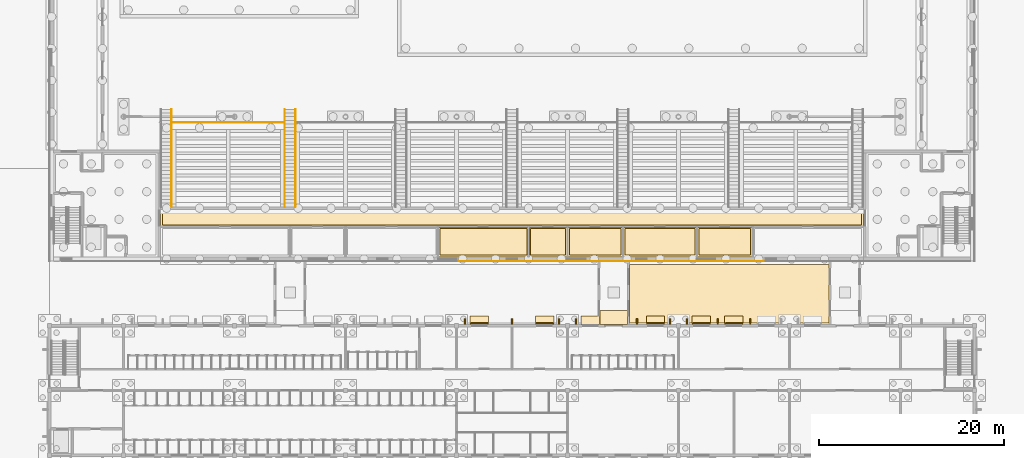
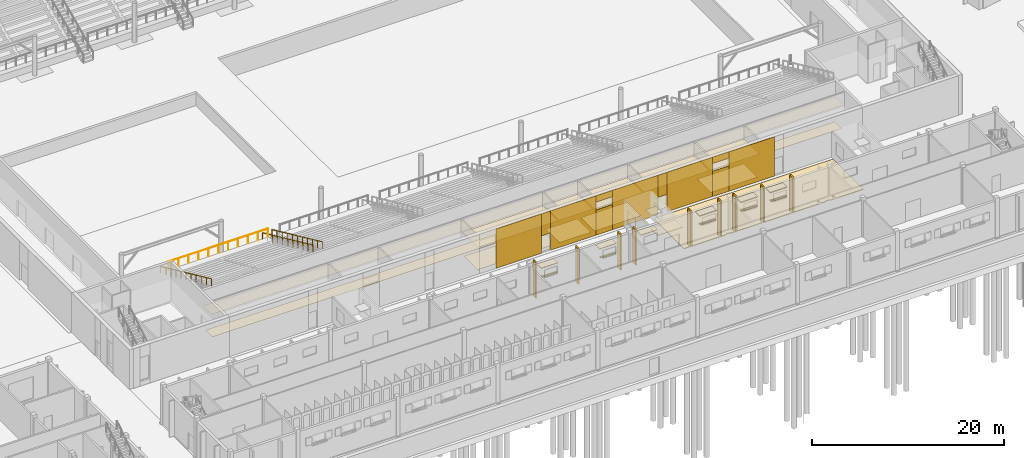
# One storey, part 132 of 157: 36 coverings, 9 shading devices, 4 railings.
"""IFC4 building model written with IfcOpenShell, lengths in metres."""

import ifcopenshell
import ifcopenshell.guid

model = None  # the IFC model being written
_history = None  # IfcOwnerHistory: only IFC2X3 demands one
_inside = {}  # id of a spatial element -> (the spatial element, [elements in it])
_under = {}  # id of a project, library or spatial element -> (it, [spatial elements below it])
_declared = {}  # id of a project -> (the project, [libraries it declares])
_typed = {}  # id of a type object -> (the type object, [elements of that type])
_made_of = {}  # id of a material, layer set ... -> (it, [elements and type objects made of it])


def new_model(schema):
    """Start an empty IFC model of exactly this schema.

    Asked for "IFC4X3", IfcOpenShell would pick the latest addendum, in which some entities
    have other attributes; the version numbers below select the first issue.
    IFC2X3 requires an IfcOwnerHistory on every rooted entity: one is made here for all.
    """
    global model, _history
    if schema == "IFC4X3":
        model = ifcopenshell.file(schema_version=(4, 3, 0, 0))
    else:
        model = ifcopenshell.file(schema=schema)
    _inside.clear()
    _under.clear()
    _declared.clear()
    _typed.clear()
    _made_of.clear()
    _history = None
    if model.schema == "IFC2X3":
        org = make("IfcOrganization", Name="unknown")
        user = make(
            "IfcPersonAndOrganization",
            ThePerson=make("IfcPerson", FamilyName="unknown"),
            TheOrganization=org,
        )
        app = make(
            "IfcApplication",
            ApplicationDeveloper=org,
            Version="unknown",
            ApplicationFullName="unknown",
            ApplicationIdentifier="unknown",
        )
        _history = make(
            "IfcOwnerHistory",
            OwningUser=user,
            OwningApplication=app,
            ChangeAction="ADDED",
            CreationDate=0,
        )
    return model


def make(cls, **values):
    """One entity of the class cls with the attributes given. An attribute that is None is left unset."""
    return model.create_entity(
        cls, **{name: value for name, value in values.items() if value is not None}
    )


def rooted(cls, **values):
    """An entity with a GlobalId (a new one), such as an element, a storey or a relation."""
    return make(cls, GlobalId=ifcopenshell.guid.new(), OwnerHistory=_history, **values)


def si_unit(unit_type, name, prefix=None):
    """IfcSIUnit, for example si_unit("LENGTHUNIT", "METRE", prefix="MILLI")."""
    return make("IfcSIUnit", UnitType=unit_type, Prefix=prefix, Name=name)


def assignment(units):
    """IfcUnitAssignment: the units of a project."""
    return None if units is None else make("IfcUnitAssignment", Units=units)


def point(xyz):
    """IfcCartesianPoint."""
    return None if xyz is None else make("IfcCartesianPoint", Coordinates=xyz)


def direction(xyz):
    """IfcDirection."""
    return None if xyz is None else make("IfcDirection", DirectionRatios=xyz)


def frame(location, z_axis=None, x_axis=None):
    """IfcAxis2Placement3D, a coordinate frame: its origin and axes. An axis left out is left unset."""
    return make(
        "IfcAxis2Placement3D",
        Location=point(location),
        Axis=direction(z_axis),
        RefDirection=direction(x_axis),
    )


def frame_2d(location, x_axis=None):
    """IfcAxis2Placement2D, a coordinate frame in the plane: its origin and x axis."""
    return make(
        "IfcAxis2Placement2D", Location=point(location), RefDirection=direction(x_axis)
    )


def origin():
    """The frame at (0, 0, 0) with its axes left unset."""
    return frame((0.0, 0.0, 0.0))


def origin_2d():
    """The frame at (0, 0) in the plane with its x axis left unset."""
    return frame_2d((0.0, 0.0))


def place(relative_to, where):
    """IfcLocalPlacement: puts the frame where relative to a parent placement (None: the world)."""
    return make(
        "IfcLocalPlacement", PlacementRelTo=relative_to, RelativePlacement=where
    )


def context(
    kind, dimensions, precision=None, world=None, true_north=None, identifier=None
):
    """IfcGeometricRepresentationContext, for example the 3D "Model" context."""
    return make(
        "IfcGeometricRepresentationContext",
        ContextIdentifier=identifier,
        ContextType=kind,
        CoordinateSpaceDimension=dimensions,
        Precision=precision,
        WorldCoordinateSystem=world,
        TrueNorth=true_north,
    )


def subcontext(parent, identifier, kind, view, scale=None):
    """IfcGeometricRepresentationSubContext, for example "Body" below "Model"."""
    return make(
        "IfcGeometricRepresentationSubContext",
        ContextIdentifier=identifier,
        ContextType=kind,
        ParentContext=parent,
        TargetScale=scale,
        TargetView=view,
    )


def project(units=None, contexts=None):
    """IfcProject with its units and contexts."""
    return rooted(
        "IfcProject",
        Name="project",
        RepresentationContexts=contexts,
        UnitsInContext=assignment(units),
    )


def spatial(cls, under=None, at=None, **own):
    """A site, building, storey or space (cls), placed at a placement, below another one or the project."""
    s = rooted(cls, ObjectPlacement=at, **own)
    if under is not None:
        _under.setdefault(under.id(), (under, []))[1].append(s)
    return s


def polyline(points):
    """IfcPolyline through the points."""
    return make("IfcPolyline", Points=[point(p) for p in points])


def profile(cls, at=None, kind="AREA", **sizes):
    """A parametric profile (cls). Its sizes go by their IFC names, for example OverallWidth=200.0."""
    return make(cls, ProfileType=kind, Position=at, **sizes)


def circle(**sizes):
    """IfcCircleProfileDef."""
    return profile("IfcCircleProfileDef", **sizes)


def outline(outer, holes=None, kind="AREA"):
    """IfcArbitraryClosedProfileDef: a profile drawn as a closed curve; with holes, ...WithVoids."""
    if holes is None:
        return make("IfcArbitraryClosedProfileDef", ProfileType=kind, OuterCurve=outer)
    return make(
        "IfcArbitraryProfileDefWithVoids",
        ProfileType=kind,
        OuterCurve=outer,
        InnerCurves=holes,
    )


def extrude(swept, where, along, depth):
    """IfcExtrudedAreaSolid: the profile swept, set in the frame where, extruded along a direction by depth."""
    return make(
        "IfcExtrudedAreaSolid",
        SweptArea=swept,
        Position=where,
        ExtrudedDirection=direction(along),
        Depth=depth,
    )


def shape(context_of_items, identifier, shape_type, items):
    """IfcShapeRepresentation: the items that make up one representation, for example the "Body"."""
    return make(
        "IfcShapeRepresentation",
        ContextOfItems=context_of_items,
        RepresentationIdentifier=identifier,
        RepresentationType=shape_type,
        Items=items,
    )


def material(Name=None, Category=None):
    """IfcMaterial."""
    return make("IfcMaterial", Name=Name, Category=Category)


def layer(
    of_material, thickness, ventilated=None, Name=None, Category=None, Priority=None
):
    """IfcMaterialLayer: one layer of a wall or slab, of a material (None: an air gap)."""
    return make(
        "IfcMaterialLayer",
        Material=of_material,
        LayerThickness=thickness,
        IsVentilated=ventilated,
        Name=Name,
        Category=Category,
        Priority=Priority,
    )


def layer_set(layers, Name=None):
    """IfcMaterialLayerSet."""
    return make("IfcMaterialLayerSet", MaterialLayers=layers, LayerSetName=Name)


def made_of(thing, what):
    """Note that an element or type object is made of a material, layer set ...; save() writes the relation."""
    if what is not None:
        _made_of.setdefault(what.id(), (what, []))[1].append(thing)
    return thing


def type_object(cls, material=None, **own):
    """A type object (cls), such as IfcWallType, which elements share."""
    return made_of(rooted(cls, **own), material)


def element(
    cls,
    number,
    at=None,
    inside=None,
    cuts=None,
    type_object=None,
    material=None,
    context=None,
    identifier="Body",
    shape_type=None,
    held_by="IfcProductDefinitionShape",
    body=None,
    shapes=None,
    **own,
):
    """One element of the class cls, such as IfcWall. Its Tag is "e" and its number.

    at: its placement. inside: the storey or other place that contains it. cuts: it is an
    opening in that element (IfcRelVoidsElement). A single representation is given by context,
    identifier, shape_type and body (its items); several are given by shapes. held_by: the class
    of the entity that holds the representations. save() writes the other relations.
    """
    e = rooted(cls, Tag="e%d" % number, ObjectPlacement=at, **own)
    if body is not None:
        shapes = [shape(context, identifier, shape_type, body)]
    if shapes is not None:
        e.Representation = make(held_by, Representations=shapes)
    if inside is not None:
        _inside.setdefault(inside.id(), (inside, []))[1].append(e)
    if cuts is not None:
        rooted(
            "IfcRelVoidsElement", RelatingBuildingElement=cuts, RelatedOpeningElement=e
        )
    if type_object is not None:
        _typed.setdefault(type_object.id(), (type_object, []))[1].append(e)
    return made_of(e, material)


def aggregate(whole, parts):
    """IfcRelAggregates: a whole, such as a stair, and the parts it consists of."""
    return rooted("IfcRelAggregates", RelatingObject=whole, RelatedObjects=parts)


def save(model, path):
    """Write the relations noted so far, then the file.

    IfcRelAggregates (storeys below a building ...), IfcRelContainedInSpatialStructure (elements
    in a storey), IfcRelDefinesByType, IfcRelAssociatesMaterial and IfcRelDeclares: one each for
    every whole, place, type object, material and project.
    """
    for whole, parts in _under.values():
        aggregate(whole, parts)
    for where, things in _inside.values():
        rooted(
            "IfcRelContainedInSpatialStructure",
            RelatedElements=things,
            RelatingStructure=where,
        )
    for kind, things in _typed.values():
        rooted("IfcRelDefinesByType", RelatedObjects=things, RelatingType=kind)
    for what, things in _made_of.values():
        rooted("IfcRelAssociatesMaterial", RelatedObjects=things, RelatingMaterial=what)
    for by, libraries in _declared.values():
        rooted("IfcRelDeclares", RelatingContext=by, RelatedDefinitions=libraries)
    model.write(path)


model = new_model("IFC4")

# Units and contexts
model_context = context("Model", 3, precision=1e-05, world=origin(), true_north=direction((0.0, 1.0)))
body_context = subcontext(model_context, "Body", "Model", "MODEL_VIEW")
ifc_project = project(units=[si_unit("LENGTHUNIT", "METRE"), si_unit("AREAUNIT", "SQUARE_METRE"), si_unit("VOLUMEUNIT", "CUBIC_METRE"), si_unit("PLANEANGLEUNIT", "RADIAN"), si_unit("MASSUNIT", "GRAM", prefix="KILO")], contexts=[model_context])

# Site, building, storey
site_placement = place(None, origin())
site = spatial("IfcSite", under=ifc_project, at=site_placement, CompositionType="ELEMENT")
building_placement = place(site_placement, origin())
building = spatial("IfcBuilding", under=site, at=building_placement, Name="Windward Yard Aquatics Centre", CompositionType="ELEMENT")
storey_placement = place(building_placement, origin())
storey = spatial("IfcBuildingStorey", under=building, at=storey_placement, Name="L00", CompositionType="ELEMENT", Elevation=0.0)

# Covering
ifc_material_1 = material(Name="Aluminium standing seam canopy on steel brackets", Category="steel")
ifc_layer_1 = layer(ifc_material_1, 0.1201171875)
ifc_layer_set_1 = layer_set([ifc_layer_1], Name="C entrance canopy aluminium 3000x1500")
covering_type_1 = type_object("IfcCoveringType", Name="C entrance canopy aluminium 3000x1500", PredefinedType="CLADDING", material=ifc_layer_set_1)
covering_1_placement = place(storey_placement, frame((0.0, 0.0, 2.800048828125)))
element("IfcCovering", 1, at=covering_1_placement, inside=storey, type_object=covering_type_1, Name="Entrance canopy C0004", PredefinedType="CLADDING", context=body_context, shape_type="SweptSolid", body=[
    extrude(outline(polyline([(111.5, 19.14990234375), (114.5, 19.14990234375), (114.5, 20.64990234375), (111.5, 20.64990234375), (111.5, 19.14990234375)])), origin(), (0.0, 0.0, 1.0), 0.119873046875),
])

# Shading devices
ifc_material_2 = material(Name="Aluminium fin, powder coated", Category="aluminium")
shading_device_type = type_object("IfcShadingDeviceType", Name="C vertical fin 150x600", PredefinedType="USERDEFINED", material=ifc_material_2)
shading_device_1_placement = place(storey_placement, origin())
element("IfcShadingDevice", 2, at=shading_device_1_placement, inside=storey, type_object=shading_device_type, Name="Vertical fin C.W.L00.N5.1.1", ObjectType="FIN", PredefinedType="USERDEFINED", context=body_context, shape_type="SweptSolid", body=[
    extrude(outline(polyline([(96.8291015625, 19.14990234375), (96.97900390625, 19.14990234375), (96.97900390625, 19.75), (96.8291015625, 19.75), (96.8291015625, 19.14990234375)])), origin(), (0.0, 0.0, 1.0), 4.550048828125),
])
shading_device_2_placement = place(storey_placement, origin())
element("IfcShadingDevice", 3, at=shading_device_2_placement, inside=storey, type_object=shading_device_type, Name="Vertical fin C.W.L00.N5.2.1", ObjectType="FIN", PredefinedType="USERDEFINED", context=body_context, shape_type="SweptSolid", body=[
    extrude(outline(polyline([(101.925048828125, 19.14990234375), (102.074951171875, 19.14990234375), (102.074951171875, 19.75), (101.925048828125, 19.75), (101.925048828125, 19.14990234375)])), origin(), (0.0, 0.0, 1.0), 4.550048828125),
])
shading_device_3_placement = place(storey_placement, origin())
element("IfcShadingDevice", 4, at=shading_device_3_placement, inside=storey, type_object=shading_device_type, Name="Vertical fin C.W.L00.N5.3.1", ObjectType="FIN", PredefinedType="USERDEFINED", context=body_context, shape_type="SweptSolid", body=[
    extrude(outline(polyline([(107.020751953125, 19.14990234375), (107.1708984375, 19.14990234375), (107.1708984375, 19.75), (107.020751953125, 19.75), (107.020751953125, 19.14990234375)])), origin(), (0.0, 0.0, 1.0), 4.550048828125),
])
shading_device_4_placement = place(storey_placement, origin())
element("IfcShadingDevice", 5, at=shading_device_4_placement, inside=storey, type_object=shading_device_type, Name="Vertical fin C.W.L00.N6.1.1", ObjectType="FIN", PredefinedType="USERDEFINED", context=body_context, shape_type="SweptSolid", body=[
    extrude(outline(polyline([(108.8291015625, 19.14990234375), (108.97900390625, 19.14990234375), (108.97900390625, 19.75), (108.8291015625, 19.75), (108.8291015625, 19.14990234375)])), origin(), (0.0, 0.0, 1.0), 4.550048828125),
])
shading_device_5_placement = place(storey_placement, origin())
element("IfcShadingDevice", 6, at=shading_device_5_placement, inside=storey, type_object=shading_device_type, Name="Vertical fin C.W.L00.N6.2.1", ObjectType="FIN", PredefinedType="USERDEFINED", context=body_context, shape_type="SweptSolid", body=[
    extrude(outline(polyline([(115.433349609375, 19.14990234375), (115.583251953125, 19.14990234375), (115.583251953125, 19.75), (115.433349609375, 19.75), (115.433349609375, 19.14990234375)])), origin(), (0.0, 0.0, 1.0), 4.550048828125),
])
shading_device_6_placement = place(storey_placement, origin())
element("IfcShadingDevice", 7, at=shading_device_6_placement, inside=storey, type_object=shading_device_type, Name="Vertical fin C.W.L00.N6.3.1", ObjectType="FIN", PredefinedType="USERDEFINED", context=body_context, shape_type="SweptSolid", body=[
    extrude(outline(polyline([(119.020751953125, 19.14990234375), (119.1708984375, 19.14990234375), (119.1708984375, 19.75), (119.020751953125, 19.75), (119.020751953125, 19.14990234375)])), origin(), (0.0, 0.0, 1.0), 4.550048828125),
])
shading_device_7_placement = place(storey_placement, origin())
element("IfcShadingDevice", 8, at=shading_device_7_placement, inside=storey, type_object=shading_device_type, Name="Vertical fin C.W.L00.N7.1.1", ObjectType="FIN", PredefinedType="USERDEFINED", context=body_context, shape_type="SweptSolid", body=[
    extrude(outline(polyline([(120.8291015625, 19.14990234375), (120.97900390625, 19.14990234375), (120.97900390625, 19.75), (120.8291015625, 19.75), (120.8291015625, 19.14990234375)])), origin(), (0.0, 0.0, 1.0), 4.550048828125),
])
shading_device_8_placement = place(storey_placement, origin())
element("IfcShadingDevice", 9, at=shading_device_8_placement, inside=storey, type_object=shading_device_type, Name="Vertical fin C.W.L00.N7.2.1", ObjectType="FIN", PredefinedType="USERDEFINED", context=body_context, shape_type="SweptSolid", body=[
    extrude(outline(polyline([(124.16650390625, 19.14990234375), (124.316650390625, 19.14990234375), (124.316650390625, 19.75), (124.16650390625, 19.75), (124.16650390625, 19.14990234375)])), origin(), (0.0, 0.0, 1.0), 4.550048828125),
])
shading_device_9_placement = place(storey_placement, origin())
element("IfcShadingDevice", 10, at=shading_device_9_placement, inside=storey, type_object=shading_device_type, Name="Vertical fin C.W.L00.N7.3.1", ObjectType="FIN", PredefinedType="USERDEFINED", context=body_context, shape_type="SweptSolid", body=[
    extrude(outline(polyline([(127.683349609375, 19.14990234375), (127.833251953125, 19.14990234375), (127.833251953125, 19.75), (127.683349609375, 19.75), (127.683349609375, 19.14990234375)])), origin(), (0.0, 0.0, 1.0), 4.550048828125),
])

# Coverings
ifc_material_3 = material(Name="Aluminium composite hood, powder coated", Category="aluminium")
ifc_layer_2 = layer(ifc_material_3, 0.080078125)
ifc_layer_set_2 = layer_set([ifc_layer_2], Name="C window hood aluminium 2000x900")
covering_type_2 = type_object("IfcCoveringType", Name="C window hood aluminium 2000x900", PredefinedType="CLADDING", material=ifc_layer_set_2)
covering_2_placement = place(storey_placement, frame((0.0, 0.0, 3.550048828125)))
element("IfcCovering", 11, at=covering_2_placement, inside=storey, type_object=covering_type_2, Name="Window hood CW0029", PredefinedType="CLADDING", context=body_context, shape_type="SweptSolid", body=[
    extrude(outline(polyline([(97.4833984375, 19.14990234375), (99.4833984375, 19.14990234375), (99.4833984375, 20.050048828125), (97.4833984375, 20.050048828125), (97.4833984375, 19.14990234375)])), origin(), (0.0, 0.0, 1.0), 0.079833984375),
])
covering_3_placement = place(storey_placement, frame((0.0, 0.0, 3.550048828125)))
element("IfcCovering", 12, at=covering_3_placement, inside=storey, type_object=covering_type_2, Name="Window hood CW0030", PredefinedType="CLADDING", context=body_context, shape_type="SweptSolid", body=[
    extrude(outline(polyline([(104.5166015625, 19.14990234375), (106.5166015625, 19.14990234375), (106.5166015625, 20.050048828125), (104.5166015625, 20.050048828125), (104.5166015625, 19.14990234375)])), origin(), (0.0, 0.0, 1.0), 0.079833984375),
])
covering_4_placement = place(storey_placement, frame((0.0, 0.0, 3.550048828125)))
element("IfcCovering", 13, at=covering_4_placement, inside=storey, type_object=covering_type_2, Name="Window hood CW0031", PredefinedType="CLADDING", context=body_context, shape_type="SweptSolid", body=[
    extrude(outline(polyline([(109.4833984375, 19.14990234375), (111.4833984375, 19.14990234375), (111.4833984375, 20.050048828125), (109.4833984375, 20.050048828125), (109.4833984375, 19.14990234375)])), origin(), (0.0, 0.0, 1.0), 0.079833984375),
])
covering_5_placement = place(storey_placement, frame((0.0, 0.0, 3.550048828125)))
element("IfcCovering", 14, at=covering_5_placement, inside=storey, type_object=covering_type_2, Name="Window hood CW0032", PredefinedType="CLADDING", context=body_context, shape_type="SweptSolid", body=[
    extrude(outline(polyline([(116.5166015625, 19.14990234375), (118.5166015625, 19.14990234375), (118.5166015625, 20.050048828125), (116.5166015625, 20.050048828125), (116.5166015625, 19.14990234375)])), origin(), (0.0, 0.0, 1.0), 0.079833984375),
])
covering_6_placement = place(storey_placement, frame((0.0, 0.0, 3.550048828125)))
element("IfcCovering", 15, at=covering_6_placement, inside=storey, type_object=covering_type_2, Name="Window hood CW0033", PredefinedType="CLADDING", context=body_context, shape_type="SweptSolid", body=[
    extrude(outline(polyline([(121.4833984375, 19.14990234375), (123.4833984375, 19.14990234375), (123.4833984375, 20.050048828125), (121.4833984375, 20.050048828125), (121.4833984375, 19.14990234375)])), origin(), (0.0, 0.0, 1.0), 0.079833984375),
])
covering_7_placement = place(storey_placement, frame((0.0, 0.0, 3.550048828125)))
element("IfcCovering", 16, at=covering_7_placement, inside=storey, type_object=covering_type_2, Name="Window hood CW0034", PredefinedType="CLADDING", context=body_context, shape_type="SweptSolid", body=[
    extrude(outline(polyline([(125.0, 19.14990234375), (127.0, 19.14990234375), (127.0, 20.050048828125), (125.0, 20.050048828125), (125.0, 19.14990234375)])), origin(), (0.0, 0.0, 1.0), 0.079833984375),
])
ifc_material_4 = material(Name="Limestone sill", Category="masonry")
ifc_layer_3 = layer(ifc_material_4, 0.080078125)
ifc_layer_set_3 = layer_set([ifc_layer_3], Name="C window sill stone 1800x200")
covering_type_3 = type_object("IfcCoveringType", Name="C window sill stone 1800x200", PredefinedType="CLADDING", material=ifc_layer_set_3)
covering_8_placement = place(storey_placement, frame((0.0, 0.0, 2.419921875)))
element("IfcCovering", 17, at=covering_8_placement, inside=storey, type_object=covering_type_3, Name="Window sill CW0029", PredefinedType="CLADDING", context=body_context, shape_type="SweptSolid", body=[
    extrude(outline(polyline([(97.583251953125, 19.14990234375), (99.38330078125, 19.14990234375), (99.38330078125, 19.35009765625), (97.583251953125, 19.35009765625), (97.583251953125, 19.14990234375)])), origin(), (0.0, 0.0, 1.0), 0.080078125),
])
covering_9_placement = place(storey_placement, frame((0.0, 0.0, 2.419921875)))
element("IfcCovering", 18, at=covering_9_placement, inside=storey, type_object=covering_type_3, Name="Window sill CW0030", PredefinedType="CLADDING", context=body_context, shape_type="SweptSolid", body=[
    extrude(outline(polyline([(104.61669921875, 19.14990234375), (106.416748046875, 19.14990234375), (106.416748046875, 19.35009765625), (104.61669921875, 19.35009765625), (104.61669921875, 19.14990234375)])), origin(), (0.0, 0.0, 1.0), 0.080078125),
])
covering_10_placement = place(storey_placement, frame((0.0, 0.0, 2.419921875)))
element("IfcCovering", 19, at=covering_10_placement, inside=storey, type_object=covering_type_3, Name="Window sill CW0032", PredefinedType="CLADDING", context=body_context, shape_type="SweptSolid", body=[
    extrude(outline(polyline([(116.61669921875, 19.14990234375), (118.416748046875, 19.14990234375), (118.416748046875, 19.35009765625), (116.61669921875, 19.35009765625), (116.61669921875, 19.14990234375)])), origin(), (0.0, 0.0, 1.0), 0.080078125),
])
covering_11_placement = place(storey_placement, frame((0.0, 0.0, 2.419921875)))
element("IfcCovering", 20, at=covering_11_placement, inside=storey, type_object=covering_type_3, Name="Window sill CW0033", PredefinedType="CLADDING", context=body_context, shape_type="SweptSolid", body=[
    extrude(outline(polyline([(121.583251953125, 19.14990234375), (123.38330078125, 19.14990234375), (123.38330078125, 19.35009765625), (121.583251953125, 19.35009765625), (121.583251953125, 19.14990234375)])), origin(), (0.0, 0.0, 1.0), 0.080078125),
])
covering_12_placement = place(storey_placement, frame((0.0, 0.0, 2.419921875)))
element("IfcCovering", 21, at=covering_12_placement, inside=storey, type_object=covering_type_3, Name="Window sill CW0034", PredefinedType="CLADDING", context=body_context, shape_type="SweptSolid", body=[
    extrude(outline(polyline([(125.10009765625, 19.14990234375), (126.89990234375, 19.14990234375), (126.89990234375, 19.35009765625), (125.10009765625, 19.35009765625), (125.10009765625, 19.14990234375)])), origin(), (0.0, 0.0, 1.0), 0.080078125),
])
ifc_material_5 = material(Name="Polished screed")
ifc_layer_4 = layer(ifc_material_5, 0.0400390625)
ifc_layer_set_4 = layer_set([ifc_layer_4], Name="H Floor Finish Screed 40")
covering_type_4 = type_object("IfcCoveringType", Name="H Floor Finish Screed 40", PredefinedType="FLOORING", material=ifc_layer_set_4)
covering_13_placement = place(storey_placement, origin())
element("IfcCovering", 22, at=covering_13_placement, inside=storey, type_object=covering_type_4, Name="Officials and Timing Office floor finish", PredefinedType="FLOORING", context=body_context, shape_type="SweptSolid", body=[
    extrude(outline(polyline([(94.199951171875, 26.64990234375), (94.199951171875, 29.52001953125), (103.60009765625, 29.52001953125), (103.60009765625, 26.64990234375), (94.199951171875, 26.64990234375)])), origin(), (0.0, 0.0, 1.0), 0.02001953125),
])
covering_14_placement = place(storey_placement, origin())
element("IfcCovering", 23, at=covering_14_placement, inside=storey, type_object=covering_type_4, Name="Doping Control Office floor finish", PredefinedType="FLOORING", context=body_context, shape_type="SweptSolid", body=[
    extrude(outline(polyline([(108.199951171875, 26.64990234375), (108.199951171875, 29.52001953125), (113.800048828125, 29.52001953125), (113.800048828125, 26.64990234375), (108.199951171875, 26.64990234375)])), origin(), (0.0, 0.0, 1.0), 0.02001953125),
])
covering_15_placement = place(storey_placement, origin())
element("IfcCovering", 24, at=covering_15_placement, inside=storey, type_object=covering_type_4, Name="Equipment Store floor finish", PredefinedType="FLOORING", context=body_context, shape_type="SweptSolid", body=[
    extrude(outline(polyline([(114.199951171875, 26.64990234375), (114.199951171875, 29.52001953125), (121.800048828125, 29.52001953125), (121.800048828125, 26.64990234375), (114.199951171875, 26.64990234375)])), origin(), (0.0, 0.0, 1.0), 0.02001953125),
])
covering_16_placement = place(storey_placement, origin())
element("IfcCovering", 25, at=covering_16_placement, inside=storey, type_object=covering_type_4, Name="Lifeguard Office floor finish", PredefinedType="FLOORING", context=body_context, shape_type="SweptSolid", body=[
    extrude(outline(polyline([(122.199951171875, 26.64990234375), (122.199951171875, 29.52001953125), (127.800048828125, 29.52001953125), (127.800048828125, 26.64990234375), (122.199951171875, 26.64990234375)])), origin(), (0.0, 0.0, 1.0), 0.02001953125),
])
covering_17_placement = place(storey_placement, origin())
element("IfcCovering", 26, at=covering_17_placement, inside=storey, type_object=covering_type_4, Name="Plinth Corridor South floor finish", PredefinedType="FLOORING", context=body_context, shape_type="SweptSolid", body=[
    extrude(outline(polyline([(64.199951171875, 29.919921875), (64.199951171875, 31.359619140625), (139.800048828125, 31.359619140625), (139.800048828125, 29.919921875), (64.199951171875, 29.919921875)])), origin(), (0.0, 0.0, 1.0), 0.02001953125),
])
ifc_material_6 = material(Name="Ceramic tile")
ifc_layer_5 = layer(ifc_material_6, 0.02001953125)
ifc_layer_set_5 = layer_set([ifc_layer_5], Name="H Floor Finish Tile 20")
covering_type_5 = type_object("IfcCoveringType", Name="H Floor Finish Tile 20", PredefinedType="FLOORING", material=ifc_layer_set_5)
covering_18_placement = place(storey_placement, origin())
element("IfcCovering", 27, at=covering_18_placement, inside=storey, type_object=covering_type_5, Name="First Aid Room floor finish", PredefinedType="FLOORING", context=body_context, shape_type="SweptSolid", body=[
    extrude(outline(polyline([(104.0, 26.64990234375), (104.0, 29.52001953125), (107.800048828125, 29.52001953125), (107.800048828125, 26.64990234375), (104.0, 26.64990234375)])), origin(), (0.0, 0.0, 1.0), 0.02001953125),
])

# Railings
ifc_material_7 = material(Name="Stainless steel 1.4529", Category="steel")
railing_type_1 = type_object("IfcRailingType", Name="H Guard Steel 1100", PredefinedType="GUARDRAIL", material=ifc_material_7)
railing_placement = place(storey_placement, frame((65.35009765625, 41.0, 1.39990234375)))
element("IfcRailing", 28, at=railing_placement, inside=storey, type_object=railing_type_1, Name="Stand front barrier S2", PredefinedType="GUARDRAIL", context=body_context, shape_type="SweptSolid", body=[
    extrude(circle(Radius=0.02392578125, at=origin_2d()), frame((0.0, 0.0, 1.076171875), z_axis=(1.0, 0.0, 0.0), x_axis=(0.0, 1.0, 0.0)), (0.0, 0.0, 1.0), 11.9248046875),
    extrude(circle(Radius=0.02099609375, at=origin_2d()), origin(), (0.0, 0.0, 1.0), 1.052001953125),
    extrude(circle(Radius=0.02099609375, at=origin_2d()), frame((1.1923828125, 0.0, 0.0)), (0.0, 0.0, 1.0), 1.052001953125),
    extrude(circle(Radius=0.02099609375, at=origin_2d()), frame((2.385009765625, 0.0, 0.0)), (0.0, 0.0, 1.0), 1.052001953125),
    extrude(circle(Radius=0.02099609375, at=origin_2d()), frame((3.577392578125, 0.0, 0.0)), (0.0, 0.0, 1.0), 1.052001953125),
    extrude(circle(Radius=0.02099609375, at=origin_2d()), frame((4.77001953125, 0.0, 0.0)), (0.0, 0.0, 1.0), 1.052001953125),
    extrude(circle(Radius=0.02099609375, at=origin_2d()), frame((5.96240234375, 0.0, 0.0)), (0.0, 0.0, 1.0), 1.052001953125),
    extrude(circle(Radius=0.02099609375, at=origin_2d()), frame((7.15478515625, 0.0, 0.0)), (0.0, 0.0, 1.0), 1.052001953125),
    extrude(circle(Radius=0.02099609375, at=origin_2d()), frame((8.347412109375, 0.0, 0.0)), (0.0, 0.0, 1.0), 1.052001953125),
    extrude(circle(Radius=0.02099609375, at=origin_2d()), frame((9.539794921875, 0.0, 0.0)), (0.0, 0.0, 1.0), 1.052001953125),
    extrude(circle(Radius=0.02099609375, at=origin_2d()), frame((10.732421875, 0.0, 0.0)), (0.0, 0.0, 1.0), 1.052001953125),
    extrude(circle(Radius=0.02099609375, at=origin_2d()), frame((11.9248046875, 0.0, 0.0)), (0.0, 0.0, 1.0), 1.052001953125),
])
railing_type_2 = type_object("IfcRailingType", Name="H Handrail Steel 900", PredefinedType="HANDRAIL", material=ifc_material_7)
for number, where, name in (
    (29, (65.199951171875, 42.3896484375, 0.1787109375), "Vomitory stair S1 handrail 2"),
    (30, (77.425048828125, 42.3896484375, 0.1787109375), "Vomitory stair S2 handrail 1"),
    (31, (78.574951171875, 42.3896484375, 0.1787109375), "Vomitory stair S2 handrail 2"),
):
    element("IfcRailing", number, at=place(storey_placement, frame(where)), inside=storey, type_object=railing_type_2, Name=name, PredefinedType="HANDRAIL", context=body_context, shape_type="SweptSolid", body=[
        extrude(circle(Radius=0.02392578125, at=origin_2d()), frame((0.0, 0.0, 0.8759765625), z_axis=(0.0, -0.909227440193, 0.416299726158), x_axis=(1.0, 0.0, 0.0)), (0.0, 0.0, 1.0), 11.581298828125),
        extrude(circle(Radius=0.02099609375, at=origin_2d()), origin(), (0.0, 0.0, 1.0), 0.851806640625),
        extrude(circle(Radius=0.02099609375, at=origin_2d()), frame((0.0, -1.052978515625, 0.482177734375)), (0.0, 0.0, 1.0), 0.851806640625),
        extrude(circle(Radius=0.02099609375, at=origin_2d()), frame((0.0, -2.10595703125, 0.96435546875)), (0.0, 0.0, 1.0), 0.851806640625),
        extrude(circle(Radius=0.02099609375, at=origin_2d()), frame((0.0, -3.158935546875, 1.4462890625)), (0.0, 0.0, 1.0), 0.851806640625),
        extrude(circle(Radius=0.02099609375, at=origin_2d()), frame((0.0, -4.2119140625, 1.928466796875)), (0.0, 0.0, 1.0), 0.851806640625),
        extrude(circle(Radius=0.02099609375, at=origin_2d()), frame((0.0, -5.26513671875, 2.41064453125)), (0.0, 0.0, 1.0), 0.851806640625),
        extrude(circle(Radius=0.02099609375, at=origin_2d()), frame((0.0, -6.318115234375, 2.892822265625)), (0.0, 0.0, 1.0), 0.851806640625),
        extrude(circle(Radius=0.02099609375, at=origin_2d()), frame((0.0, -7.37109375, 3.375)), (0.0, 0.0, 1.0), 0.851806640625),
        extrude(circle(Radius=0.02099609375, at=origin_2d()), frame((0.0, -8.424072265625, 3.85693359375)), (0.0, 0.0, 1.0), 0.851806640625),
        extrude(circle(Radius=0.02099609375, at=origin_2d()), frame((0.0, -9.47705078125, 4.339111328125)), (0.0, 0.0, 1.0), 0.851806640625),
        extrude(circle(Radius=0.02099609375, at=origin_2d()), frame((0.0, -10.530029296875, 4.8212890625)), (0.0, 0.0, 1.0), 0.851806640625),
    ])

# Coverings
ifc_material_8 = material(Name="Aluminium plank", Category="aluminium")
ifc_layer_6 = layer(ifc_material_8, 0.02001953125)
ifc_layer_set_6 = layer_set([ifc_layer_6], Name="H Moisture Resistant Ceiling")
covering_type_6 = type_object("IfcCoveringType", Name="H Moisture Resistant Ceiling", PredefinedType="CEILING", material=ifc_layer_set_6)
covering_19_placement = place(storey_placement, frame((0.0, 0.0, 3.0)))
element("IfcCovering", 32, at=covering_19_placement, inside=storey, type_object=covering_type_6, Name="First Aid Room ceiling", PredefinedType="CEILING", context=body_context, shape_type="SweptSolid", body=[
    extrude(outline(polyline([(103.87548828125, 26.450439453125), (103.87548828125, 29.64453125), (107.924560546875, 29.64453125), (107.924560546875, 26.450439453125), (103.87548828125, 26.450439453125)])), origin(), (0.0, 0.0, 1.0), 0.02001953125),
])
ifc_material_9 = material(Name="Mineral fibre tile")
ifc_layer_7 = layer(ifc_material_9, 0.02001953125)
ifc_layer_set_7 = layer_set([ifc_layer_7], Name="H Suspended Ceiling 600 x 600")
covering_type_7 = type_object("IfcCoveringType", Name="H Suspended Ceiling 600 x 600", PredefinedType="CEILING", material=ifc_layer_set_7)
covering_20_placement = place(storey_placement, frame((0.0, 0.0, 3.0)))
element("IfcCovering", 33, at=covering_20_placement, inside=storey, type_object=covering_type_7, Name="Officials and Timing Office ceiling", PredefinedType="CEILING", context=body_context, shape_type="SweptSolid", body=[
    extrude(outline(polyline([(94.075439453125, 26.450439453125), (94.075439453125, 29.64453125), (103.724609375, 29.64453125), (103.724609375, 26.450439453125), (94.075439453125, 26.450439453125)])), origin(), (0.0, 0.0, 1.0), 0.02001953125),
])
covering_21_placement = place(storey_placement, frame((0.0, 0.0, 3.0)))
element("IfcCovering", 34, at=covering_21_placement, inside=storey, type_object=covering_type_7, Name="Doping Control Office ceiling", PredefinedType="CEILING", context=body_context, shape_type="SweptSolid", body=[
    extrude(outline(polyline([(108.075439453125, 26.450439453125), (108.075439453125, 29.64453125), (113.924560546875, 29.64453125), (113.924560546875, 26.450439453125), (108.075439453125, 26.450439453125)])), origin(), (0.0, 0.0, 1.0), 0.02001953125),
])
covering_22_placement = place(storey_placement, frame((0.0, 0.0, 3.0)))
element("IfcCovering", 35, at=covering_22_placement, inside=storey, type_object=covering_type_7, Name="Equipment Store ceiling", PredefinedType="CEILING", context=body_context, shape_type="SweptSolid", body=[
    extrude(outline(polyline([(114.075439453125, 26.450439453125), (114.075439453125, 29.64453125), (121.924560546875, 29.64453125), (121.924560546875, 26.450439453125), (114.075439453125, 26.450439453125)])), origin(), (0.0, 0.0, 1.0), 0.02001953125),
])
covering_23_placement = place(storey_placement, frame((0.0, 0.0, 3.0)))
element("IfcCovering", 36, at=covering_23_placement, inside=storey, type_object=covering_type_7, Name="Lifeguard Office ceiling", PredefinedType="CEILING", context=body_context, shape_type="SweptSolid", body=[
    extrude(outline(polyline([(122.075439453125, 26.450439453125), (122.075439453125, 29.64453125), (127.924560546875, 29.64453125), (127.924560546875, 26.450439453125), (122.075439453125, 26.450439453125)])), origin(), (0.0, 0.0, 1.0), 0.02001953125),
])
covering_24_placement = place(storey_placement, frame((0.0, 0.0, 3.0)))
element("IfcCovering", 37, at=covering_24_placement, inside=storey, type_object=covering_type_7, Name="Plinth Corridor South ceiling", PredefinedType="CEILING", context=body_context, shape_type="SweptSolid", body=[
    extrude(outline(polyline([(64.00048828125, 29.79541015625), (64.00048828125, 31.55908203125), (139.99951171875, 31.55908203125), (139.99951171875, 29.79541015625), (64.00048828125, 29.79541015625)])), origin(), (0.0, 0.0, 1.0), 0.02001953125),
])
ifc_material_10 = material(Name="Natural limestone cladding", Category="masonry")
ifc_layer_8 = layer(ifc_material_10, 0.0400390625)
ifc_layer_set_8 = layer_set([ifc_layer_8], Name="H natural stone cladding 40")
covering_type_8 = type_object("IfcCoveringType", Name="H natural stone cladding 40", PredefinedType="CLADDING", material=ifc_layer_set_8)
covering_25_placement = place(storey_placement, origin())
element("IfcCovering", 38, at=covering_25_placement, inside=storey, type_object=covering_type_8, Name="Stone cladding panel 198", PredefinedType="CLADDING", context=body_context, shape_type="SweptSolid", body=[
    extrude(outline(polyline([(96.0, 25.9599609375), (96.0, 26.0), (101.449951171875, 26.0), (101.449951171875, 25.9599609375), (96.0, 25.9599609375)])), origin(), (0.0, 0.0, 1.0), 5.0),
])
covering_26_placement = place(storey_placement, frame((0.0, 0.0, 2.199951171875)))
element("IfcCovering", 39, at=covering_26_placement, inside=storey, type_object=covering_type_8, Name="Stone cladding panel 199", PredefinedType="CLADDING", context=body_context, shape_type="SweptSolid", body=[
    extrude(outline(polyline([(101.449951171875, 25.9599609375), (101.449951171875, 26.0), (102.550048828125, 26.0), (102.550048828125, 25.9599609375), (101.449951171875, 25.9599609375)])), origin(), (0.0, 0.0, 1.0), 2.800048828125),
])
covering_27_placement = place(storey_placement, origin())
element("IfcCovering", 40, at=covering_27_placement, inside=storey, type_object=covering_type_8, Name="Stone cladding panel 200", PredefinedType="CLADDING", context=body_context, shape_type="SweptSolid", body=[
    extrude(outline(polyline([(102.550048828125, 25.9599609375), (102.550048828125, 26.0), (108.0, 26.0), (108.0, 25.9599609375), (102.550048828125, 25.9599609375)])), origin(), (0.0, 0.0, 1.0), 5.0),
])
covering_28_placement = place(storey_placement, origin())
element("IfcCovering", 41, at=covering_28_placement, inside=storey, type_object=covering_type_8, Name="Stone cladding panel 201", PredefinedType="CLADDING", context=body_context, shape_type="SweptSolid", body=[
    extrude(outline(polyline([(108.0, 25.9599609375), (108.0, 26.0), (110.0, 26.0), (110.0, 25.9599609375), (108.0, 25.9599609375)])), origin(), (0.0, 0.0, 1.0), 3.199951171875),
])
covering_29_placement = place(storey_placement, frame((0.0, 0.0, 4.199951171875)))
element("IfcCovering", 42, at=covering_29_placement, inside=storey, type_object=covering_type_8, Name="Stone cladding panel 202", PredefinedType="CLADDING", context=body_context, shape_type="SweptSolid", body=[
    extrude(outline(polyline([(108.0, 25.9599609375), (108.0, 26.0), (110.0, 26.0), (110.0, 25.9599609375), (108.0, 25.9599609375)])), origin(), (0.0, 0.0, 1.0), 0.800048828125),
])
covering_30_placement = place(storey_placement, origin())
element("IfcCovering", 43, at=covering_30_placement, inside=storey, type_object=covering_type_8, Name="Stone cladding panel 203", PredefinedType="CLADDING", context=body_context, shape_type="SweptSolid", body=[
    extrude(outline(polyline([(110.0, 25.9599609375), (110.0, 26.0), (115.449951171875, 26.0), (115.449951171875, 25.9599609375), (110.0, 25.9599609375)])), origin(), (0.0, 0.0, 1.0), 5.0),
])
covering_31_placement = place(storey_placement, frame((0.0, 0.0, 2.199951171875)))
element("IfcCovering", 44, at=covering_31_placement, inside=storey, type_object=covering_type_8, Name="Stone cladding panel 204", PredefinedType="CLADDING", context=body_context, shape_type="SweptSolid", body=[
    extrude(outline(polyline([(115.449951171875, 25.9599609375), (115.449951171875, 26.0), (116.550048828125, 26.0), (116.550048828125, 25.9599609375), (115.449951171875, 25.9599609375)])), origin(), (0.0, 0.0, 1.0), 2.800048828125),
])
covering_32_placement = place(storey_placement, origin())
element("IfcCovering", 45, at=covering_32_placement, inside=storey, type_object=covering_type_8, Name="Stone cladding panel 205", PredefinedType="CLADDING", context=body_context, shape_type="SweptSolid", body=[
    extrude(outline(polyline([(116.550048828125, 25.9599609375), (116.550048828125, 26.0), (122.0, 26.0), (122.0, 25.9599609375), (116.550048828125, 25.9599609375)])), origin(), (0.0, 0.0, 1.0), 5.0),
])
covering_33_placement = place(storey_placement, origin())
element("IfcCovering", 46, at=covering_33_placement, inside=storey, type_object=covering_type_8, Name="Stone cladding panel 206", PredefinedType="CLADDING", context=body_context, shape_type="SweptSolid", body=[
    extrude(outline(polyline([(122.0, 25.9599609375), (122.0, 26.0), (124.0, 26.0), (124.0, 25.9599609375), (122.0, 25.9599609375)])), origin(), (0.0, 0.0, 1.0), 3.199951171875),
])
covering_34_placement = place(storey_placement, frame((0.0, 0.0, 4.199951171875)))
element("IfcCovering", 47, at=covering_34_placement, inside=storey, type_object=covering_type_8, Name="Stone cladding panel 207", PredefinedType="CLADDING", context=body_context, shape_type="SweptSolid", body=[
    extrude(outline(polyline([(122.0, 25.9599609375), (122.0, 26.0), (124.0, 26.0), (124.0, 25.9599609375), (122.0, 25.9599609375)])), origin(), (0.0, 0.0, 1.0), 0.800048828125),
])
covering_35_placement = place(storey_placement, origin())
element("IfcCovering", 48, at=covering_35_placement, inside=storey, type_object=covering_type_8, Name="Stone cladding panel 208", PredefinedType="CLADDING", context=body_context, shape_type="SweptSolid", body=[
    extrude(outline(polyline([(124.0, 25.9599609375), (124.0, 26.0), (129.449951171875, 26.0), (129.449951171875, 25.9599609375), (124.0, 25.9599609375)])), origin(), (0.0, 0.0, 1.0), 5.0),
])
ifc_material_11 = material(Name="Concrete block paving C35/45", Category="concrete")
ifc_layer_9 = layer(ifc_material_11, 0.080078125)
ifc_layer_set_9 = layer_set([ifc_layer_9], Name="X Concrete Block Paving 80")
covering_type_9 = type_object("IfcCoveringType", Name="X Concrete Block Paving 80", PredefinedType="FLOORING", material=ifc_layer_set_9)
covering_36_placement = place(storey_placement, frame((0.0, 0.0, -0.080078125)))
element("IfcCovering", 49, at=covering_36_placement, inside=storey, type_object=covering_type_9, Name="Garden court paving 5", PredefinedType="FLOORING", context=body_context, shape_type="SweptSolid", body=[
    extrude(outline(polyline([(114.719970703125, 19.294921875), (115.413330078125, 19.294921875), (115.413330078125, 19.75), (115.414794921875, 19.7578125), (115.422119140625, 19.7666015625), (115.431396484375, 19.77001953125), (115.583251953125, 19.77001953125), (115.591064453125, 19.7685546875), (115.597412109375, 19.76416015625), (115.601806640625, 19.7578125), (115.603271484375, 19.75), (115.603271484375, 19.294921875), (119.000732421875, 19.294921875), (119.000732421875, 19.75), (119.002197265625, 19.7578125), (119.009765625, 19.7666015625), (119.018798828125, 19.77001953125), (119.1708984375, 19.77001953125), (119.1787109375, 19.7685546875), (119.18505859375, 19.76416015625), (119.189453125, 19.7578125), (119.19091796875, 19.75), (119.19091796875, 19.294921875), (119.701171875, 19.294921875), (119.73291015625, 19.323974609375), (119.765869140625, 19.3486328125), (119.80126953125, 19.369873046875), (119.83837890625, 19.3876953125), (119.877197265625, 19.401611328125), (119.9169921875, 19.41162109375), (119.959716796875, 19.41796875), (120.0009765625, 19.419921875), (120.0419921875, 19.41796875), (120.0830078125, 19.41162109375), (120.122802734375, 19.401611328125), (120.16162109375, 19.3876953125), (120.19873046875, 19.369873046875), (120.234130859375, 19.3486328125), (120.26708984375, 19.323974609375), (120.298828125, 19.294921875), (120.80908203125, 19.294921875), (120.80908203125, 19.75), (120.810546875, 19.7578125), (120.818115234375, 19.7666015625), (120.8271484375, 19.77001953125), (120.97900390625, 19.77001953125), (120.98681640625, 19.7685546875), (120.9931640625, 19.76416015625), (120.99755859375, 19.7578125), (120.9990234375, 19.75), (120.9990234375, 19.294921875), (124.146484375, 19.294921875), (124.146484375, 19.75), (124.148193359375, 19.7578125), (124.155517578125, 19.7666015625), (124.16455078125, 19.77001953125), (124.316650390625, 19.77001953125), (124.32421875, 19.7685546875), (124.330810546875, 19.76416015625), (124.335205078125, 19.7578125), (124.336669921875, 19.75), (124.336669921875, 19.294921875), (127.663330078125, 19.294921875), (127.663330078125, 19.75), (127.664794921875, 19.7578125), (127.672119140625, 19.7666015625), (127.681396484375, 19.77001953125), (127.833251953125, 19.77001953125), (127.841064453125, 19.7685546875), (127.847412109375, 19.76416015625), (127.851806640625, 19.7578125), (127.853271484375, 19.75), (127.853271484375, 19.294921875), (131.000732421875, 19.294921875), (131.000732421875, 19.75), (131.002197265625, 19.7578125), (131.009765625, 19.7666015625), (131.018798828125, 19.77001953125), (131.1708984375, 19.77001953125), (131.1787109375, 19.7685546875), (131.18505859375, 19.76416015625), (131.189453125, 19.7578125), (131.19091796875, 19.75), (131.19091796875, 19.294921875), (131.701171875, 19.294921875), (131.73291015625, 19.323974609375), (131.765869140625, 19.3486328125), (131.80126953125, 19.369873046875), (131.83837890625, 19.3876953125), (131.877197265625, 19.401611328125), (131.9169921875, 19.41162109375), (131.9580078125, 19.41796875), (132.0009765625, 19.419921875), (132.0419921875, 19.41796875), (132.0830078125, 19.41162109375), (132.122802734375, 19.401611328125), (132.16162109375, 19.3876953125), (132.19873046875, 19.369873046875), (132.234130859375, 19.3486328125), (132.26708984375, 19.323974609375), (132.298828125, 19.294921875), (132.80908203125, 19.294921875), (132.80908203125, 19.75), (132.810546875, 19.7578125), (132.818115234375, 19.7666015625), (132.8291015625, 19.77001953125), (132.981201171875, 19.77001953125), (132.990234375, 19.7666015625), (132.996826171875, 19.759521484375), (132.999267578125, 19.75), (132.999267578125, 19.294921875), (136.280029296875, 19.294921875), (136.280029296875, 25.60498046875), (114.719970703125, 25.60498046875), (114.719970703125, 19.294921875)])), origin(), (0.0, 0.0, 1.0), 0.080078125),
])

save(model, "model.ifc")
